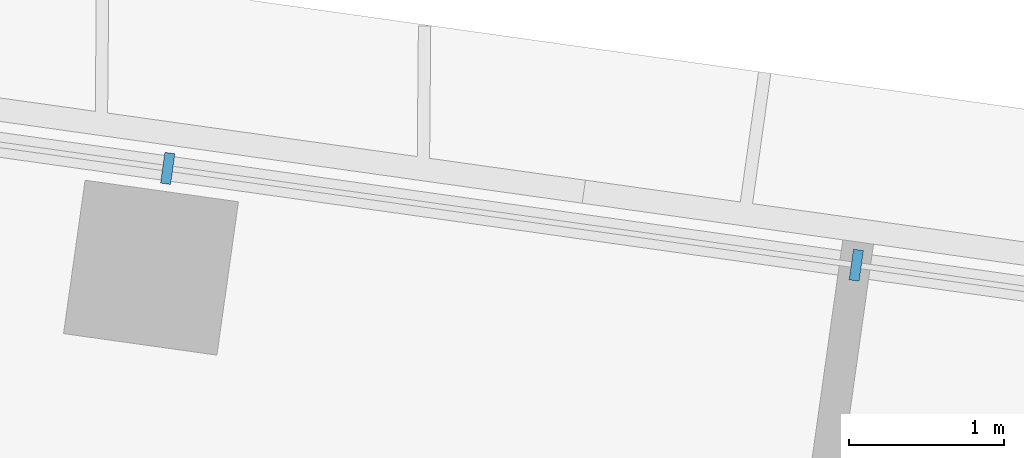
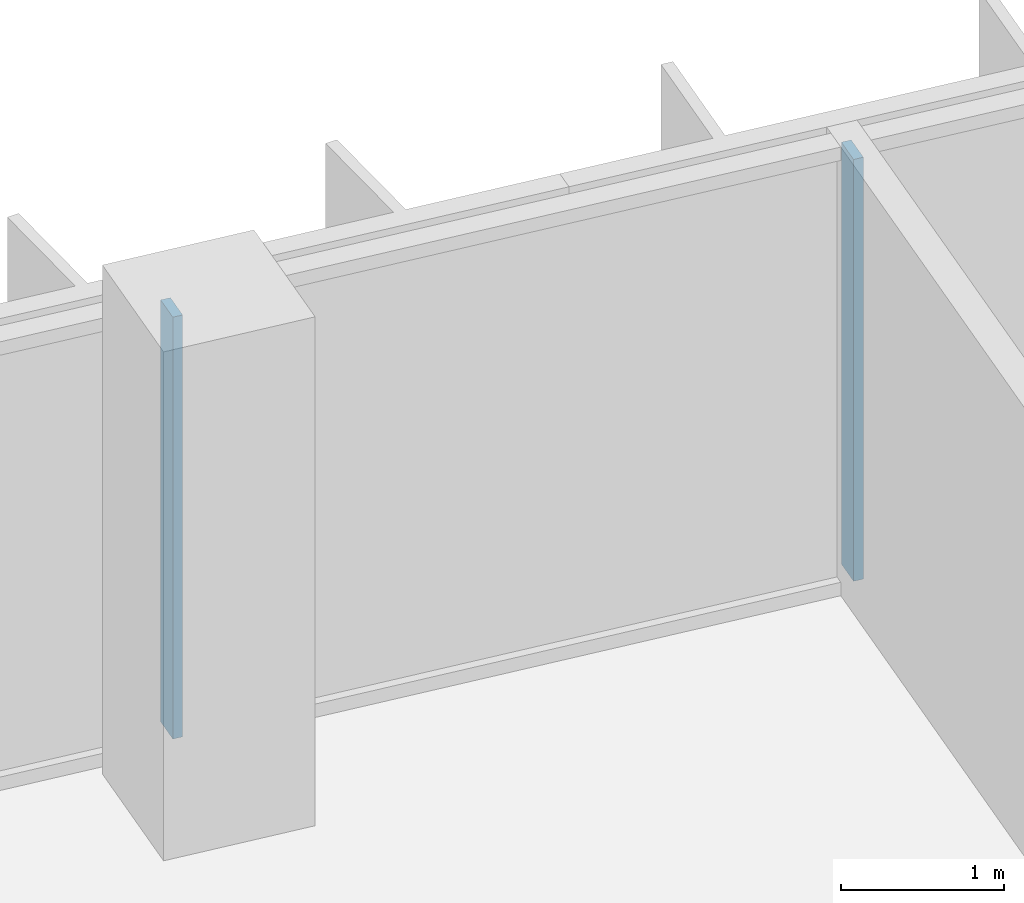
# One storey, part 3 of 24: 2 members, 1 element without a shape of its own.
"""IFC4 building model written with IfcOpenShell, lengths in metres."""

from ifc_helpers import new_model, si_unit, direction, frame, origin, origin_2d, place, context, subcontext, project, spatial, rectangle, extrude, material, material_profile, profile_set, type_object, element, aggregate, save


model = new_model("IFC4")

# Units and contexts
model_context = context("Model", 3, precision=1e-05, world=origin(), true_north=direction((0.0, 1.0)))
body_context = subcontext(model_context, "Body", "Model", "MODEL_VIEW")
ifc_project = project(units=[si_unit("LENGTHUNIT", "METRE"), si_unit("AREAUNIT", "SQUARE_METRE"), si_unit("VOLUMEUNIT", "CUBIC_METRE"), si_unit("PLANEANGLEUNIT", "RADIAN"), si_unit("MASSUNIT", "GRAM", prefix="KILO")], contexts=[model_context])

# Site, building, storey
site_placement = place(None, origin())
site = spatial("IfcSite", under=ifc_project, at=site_placement, CompositionType="ELEMENT")
building_placement = place(site_placement, origin())
building = spatial("IfcBuilding", under=site, at=building_placement, Name="Mirante Cascada Hotel Towers", CompositionType="ELEMENT")
storey_placement = place(building_placement, frame((0.0, 0.0, 81.3)))
storey = spatial("IfcBuildingStorey", under=building, at=storey_placement, Name="L17", CompositionType="ELEMENT", Elevation=81.3)

# Curtain wall, members
ifc_material_1 = material(Name="Aluminium mullion and transom frame with clear laminated glass", Category="aluminium")
curtain_wall_type = type_object("IfcCurtainWallType", Name="Ribbon curtain wall ECW1", PredefinedType="NOTDEFINED", material=ifc_material_1)
curtain_wall_placement = place(storey_placement, origin())
curtain_wall = element("IfcCurtainWall", 1, at=curtain_wall_placement, inside=storey, type_object=curtain_wall_type, Name="Front ribbon wall T1 L17", PredefinedType="NOTDEFINED")
ifc_material_2 = material(Name="Anodised aluminium extrusion", Category="aluminium")
ifc_material_profile = material_profile(ifc_material_2, rectangle(XDim=0.2, YDim=0.065, at=origin_2d()), Name="ECW1 MULLION 65x200")
ifc_profile_set = profile_set([ifc_material_profile], Name="Anodised aluminium extrusion")
member_type = type_object("IfcMemberType", Name="ECW1 mullion 65x200", PredefinedType="MULLION", material=ifc_profile_set)
member_1_placement = place(storey_placement, frame((-71.9211, 22.9269, 0.1), z_axis=(0.0, 0.0, 1.0), x_axis=(0.1391731, 0.9902681, 0.0)))
member_1 = element("IfcMember", 2, at=member_1_placement, type_object=member_type, Name="ECW1 mullion 6", PredefinedType="MULLION", context=body_context, shape_type="SweptSolid", body=[
    extrude(rectangle(XDim=0.2, YDim=0.065, at=origin_2d()), origin(), (0.0, 0.0, 1.0), 3.15),
])
member_2_placement = place(storey_placement, frame((-67.4737, 22.3018, 0.1), z_axis=(0.0, 0.0, 1.0), x_axis=(0.1391731, 0.9902681, 0.0)))
member_2 = element("IfcMember", 3, at=member_2_placement, type_object=member_type, Name="ECW1 mullion 7", PredefinedType="MULLION", context=body_context, shape_type="SweptSolid", body=[
    extrude(rectangle(XDim=0.2, YDim=0.065, at=origin_2d()), origin(), (0.0, 0.0, 1.0), 3.15),
])
aggregate(curtain_wall, [member_1, member_2])

save(model, "model.ifc")
